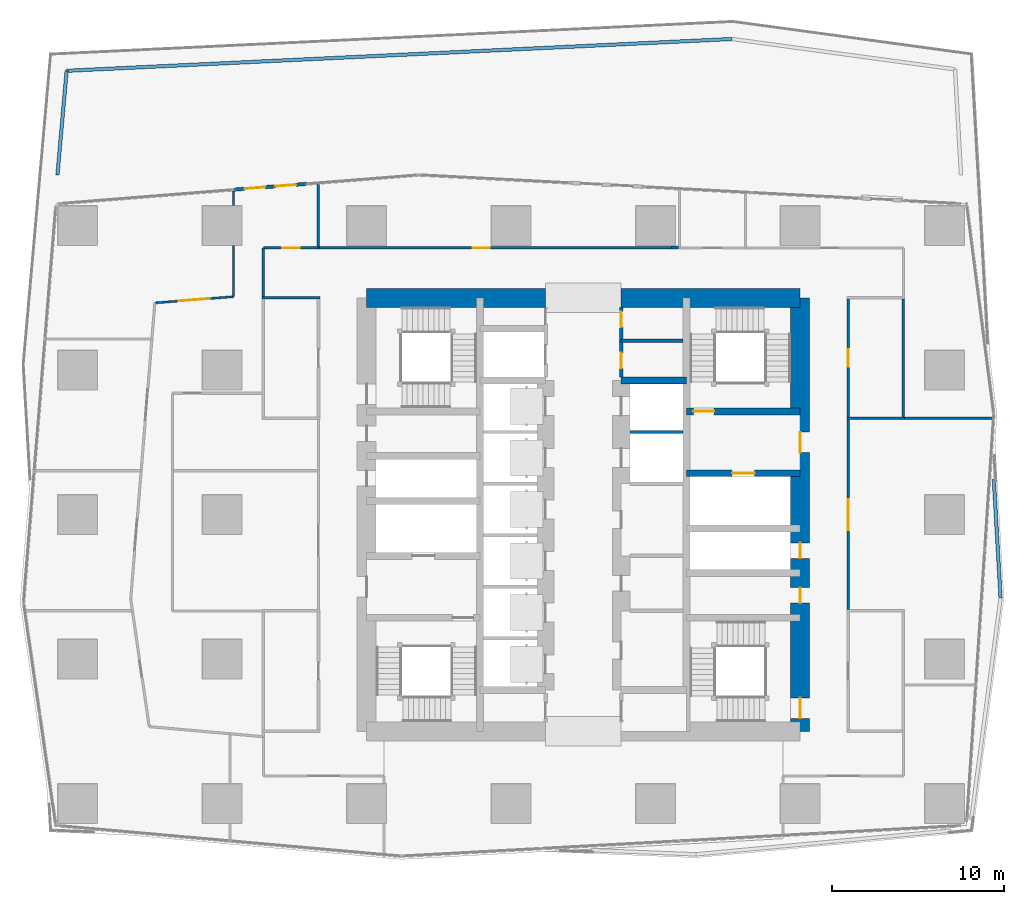
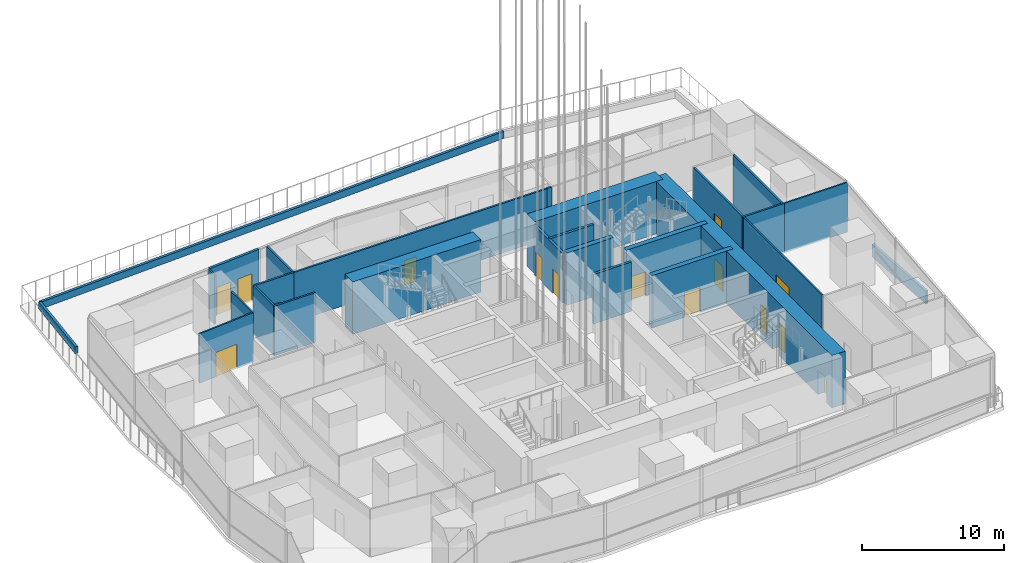
# One storey, part 17 of 39: 27 walls, 15 doors, 15 openings.
"""IFC4 building model written with IfcOpenShell, lengths in metres."""

from ifc_helpers import new_model, si_unit, direction, frame, frame_2d, origin, place, context, subcontext, project, spatial, rectangle, extrude, material, layer, layer_set, type_object, element, fill, save


model = new_model("IFC4")

# Units and contexts
model_context = context("Model", 3, precision=1e-05, world=origin(), true_north=direction((0.0, 1.0)))
body_context = subcontext(model_context, "Body", "Model", "MODEL_VIEW")
ifc_project = project(units=[si_unit("LENGTHUNIT", "METRE"), si_unit("AREAUNIT", "SQUARE_METRE"), si_unit("VOLUMEUNIT", "CUBIC_METRE"), si_unit("PLANEANGLEUNIT", "RADIAN"), si_unit("MASSUNIT", "GRAM", prefix="KILO")], contexts=[model_context])

# Site, building, storey
site_placement = place(None, origin())
site = spatial("IfcSite", under=ifc_project, at=site_placement, CompositionType="ELEMENT")
building_placement = place(site_placement, origin())
building = spatial("IfcBuilding", under=site, at=building_placement, Name="Rekha Terrace Tower", CompositionType="ELEMENT")
storey_placement = place(building_placement, frame((0.0, 0.0, 245.60009765625)))
storey = spatial("IfcBuildingStorey", under=building, at=storey_placement, Name="L62", CompositionType="ELEMENT", Elevation=245.60009765625)

# Wall
ifc_material_1 = material(Name="Concrete M60", Category="concrete")
ifc_layer_1 = layer(ifc_material_1, 0.39990234375)
ifc_layer_set_1 = layer_set([ifc_layer_1], Name="Concrete M60")
wall_type_1 = type_object("IfcWallType", Name="CI4 400 core internal shear wall", PredefinedType="SHEAR", material=ifc_layer_set_1)
wall_1_placement = place(storey_placement, frame((40.0, 41.39990234375, 0.0), z_axis=(0.0, 0.0, 1.0), x_axis=(1.0, 0.0, 0.0)))
element("IfcWall", 1, at=wall_1_placement, inside=storey, type_object=wall_type_1, Name="Core wall Y414E L62", PredefinedType="SHEAR", context=body_context, shape_type="SweptSolid", body=[
    extrude(rectangle(XDim=3.800048828125, YDim=0.39990234375, at=frame_2d((1.89990234375, 0.0))), origin(), (0.0, 0.0, 1.0), 4.5),
])

# Wall, opening, door
wall_2_placement = place(storey_placement, frame((43.800048828125, 36.0, 0.0), z_axis=(0.0, 0.0, 1.0), x_axis=(1.0, 0.0, 0.0)))
wall_2 = element("IfcWall", 2, at=wall_2_placement, inside=storey, type_object=wall_type_1, Name="Core wall Y360E L62", PredefinedType="SHEAR", context=body_context, shape_type="SweptSolid", body=[
    extrude(rectangle(XDim=6.599853515625, YDim=0.39990234375, at=frame_2d((3.2998046875, 0.0))), origin(), (0.0, 0.0, 1.0), 4.5),
])
opening_1_placement = place(wall_2_placement, frame((2.64990234375, 0.0, 0.0)))
opening_1 = element("IfcOpeningElement", 3, at=opening_1_placement, cuts=wall_2, Name="Opening LD2", PredefinedType="OPENING", context=body_context, shape_type="SweptSolid", body=[
    extrude(rectangle(XDim=1.300048828125, YDim=2.10009765625, at=frame_2d((0.64990234375, 1.050048828125))), frame((0.0, 0.2099609375, 0.0), z_axis=(0.0, -1.0, 0.0), x_axis=(1.0, 0.0, 0.0)), (0.0, 0.0, 1.0), 0.419921875),
])
ifc_material_2 = material(Name="Stainless steel sliding landing door", Category="steel")
door_type_1 = type_object("IfcDoorType", Name="LD2 1300x2100 fire lift landing door", OperationType="SLIDING_TO_LEFT", PredefinedType="USERDEFINED", material=ifc_material_2)
door_1_placement = place(opening_1_placement, origin())
door_1 = element("IfcDoor", 4, at=door_1_placement, inside=storey, type_object=door_type_1, Name="Lift FL2 landing door L62", ObjectType="LIFT LANDING DOOR", OperationType="SLIDING_TO_LEFT", OverallHeight=2.10009765625, OverallWidth=1.300048828125, PredefinedType="USERDEFINED", context=body_context, shape_type="SweptSolid", body=[
    extrude(rectangle(XDim=1.300048828125, YDim=2.10009765625, at=frame_2d((0.64990234375, 1.050048828125))), frame((0.0, 0.02490234375, 0.0), z_axis=(0.0, -1.0, 0.0), x_axis=(1.0, 0.0, 0.0)), (0.0, 0.0, 1.0), 0.050048828125),
])
fill(opening_1, door_1)

wall_3_placement = place(storey_placement, frame((43.800048828125, 39.60009765625, 0.0), z_axis=(0.0, 0.0, 1.0), x_axis=(1.0, 0.0, 0.0)))
wall_3 = element("IfcWall", 5, at=wall_3_placement, inside=storey, type_object=wall_type_1, Name="Core wall Y396E L62", PredefinedType="SHEAR", context=body_context, shape_type="SweptSolid", body=[
    extrude(rectangle(XDim=6.599853515625, YDim=0.39990234375, at=frame_2d((3.2998046875, 0.0))), origin(), (0.0, 0.0, 1.0), 4.5),
])
opening_2_placement = place(wall_3_placement, frame((0.39990234375, 0.0, 0.0)))
opening_2 = element("IfcOpeningElement", 6, at=opening_2_placement, cuts=wall_3, Name="Opening D1", PredefinedType="OPENING", context=body_context, shape_type="SweptSolid", body=[
    extrude(rectangle(XDim=1.199951171875, YDim=2.10009765625, at=frame_2d((0.60009765625, 1.050048828125))), frame((0.0, 0.2099609375, 0.0), z_axis=(0.0, -1.0, 0.0), x_axis=(1.0, 0.0, 0.0)), (0.0, 0.0, 1.0), 0.419921875),
])
ifc_material_3 = material(Name="Steel fire door", Category="steel")
door_type_2 = type_object("IfcDoorType", Name="D1 1200x2100 stair fire door", OperationType="SINGLE_SWING_RIGHT", PredefinedType="DOOR", material=ifc_material_3)
door_2_placement = place(opening_2_placement, origin())
door_2 = element("IfcDoor", 7, at=door_2_placement, inside=storey, type_object=door_type_2, Name="Stair ST2 door L62", OperationType="SINGLE_SWING_RIGHT", OverallHeight=2.10009765625, OverallWidth=1.199951171875, PredefinedType="DOOR", context=body_context, shape_type="SweptSolid", body=[
    extrude(rectangle(XDim=1.199951171875, YDim=2.10009765625, at=frame_2d((0.60009765625, 1.050048828125))), frame((0.0, 0.02490234375, 0.0), z_axis=(0.0, -1.0, 0.0), x_axis=(1.0, 0.0, 0.0)), (0.0, 0.0, 1.0), 0.050048828125),
])
fill(opening_2, door_2)

# Wall, openings, doors
ifc_material_4 = material(Name="Aluminium-faced insulated screen wall", Category="aluminium")
ifc_layer_2 = layer(ifc_material_4, 0.199951171875)
ifc_layer_set_2 = layer_set([ifc_layer_2], Name="Aluminium-faced insulated screen wall")
wall_type_2 = type_object("IfcWallType", Name="EW3 terrace door screen wall 200", PredefinedType="SOLIDWALL", material=ifc_layer_set_2)
wall_4_placement = place(storey_placement, frame((21.69140625, 52.82470703125, 0.0), z_axis=(0.0, 0.0, 1.0), x_axis=(-0.996837971736, -0.079461047721, 0.0)))
wall_4 = element("IfcWall", 8, at=wall_4_placement, inside=storey, type_object=wall_type_2, Name="Terrace door screen wall", PredefinedType="SOLIDWALL", context=body_context, shape_type="SweptSolid", body=[
    extrude(rectangle(XDim=4.199951171875, YDim=0.199951171875, at=frame_2d((2.10009765625, 0.0))), origin(), (0.0, 0.0, 1.0), 4.25),
])
opening_3_placement = place(wall_4_placement, frame((0.60009765625, 0.0, 0.0)))
opening_3 = element("IfcOpeningElement", 9, at=opening_3_placement, cuts=wall_4, Name="Opening ED4", PredefinedType="OPENING", context=body_context, shape_type="SweptSolid", body=[
    extrude(rectangle(XDim=1.199951171875, YDim=2.39990234375, at=frame_2d((0.60009765625, 1.199951171875))), frame((0.0, 0.10986328125, 0.0), z_axis=(0.0, -1.0, 0.0), x_axis=(1.0, 0.0, 0.0)), (0.0, 0.0, 1.0), 0.219970703125),
])
opening_4_placement = place(wall_4_placement, frame((2.39990234375, 0.0, 0.0)))
opening_4 = element("IfcOpeningElement", 10, at=opening_4_placement, cuts=wall_4, Name="Opening ED4", PredefinedType="OPENING", context=body_context, shape_type="SweptSolid", body=[
    extrude(rectangle(XDim=1.199951171875, YDim=2.39990234375, at=frame_2d((0.60009765625, 1.199951171875))), frame((0.0, 0.10986328125, 0.0), z_axis=(0.0, -1.0, 0.0), x_axis=(1.0, 0.0, 0.0)), (0.0, 0.0, 1.0), 0.219970703125),
])
ifc_material_5 = material(Name="Aluminium framed laminated glass door", Category="aluminium")
door_type_3 = type_object("IfcDoorType", Name="ED4 glazed terrace door 1200 x 2400", OperationType="SINGLE_SWING_LEFT", PredefinedType="DOOR", material=ifc_material_5)
door_3_placement = place(opening_3_placement, origin())
door_3 = element("IfcDoor", 11, at=door_3_placement, inside=storey, type_object=door_type_3, Name="Terrace door", OperationType="SINGLE_SWING_LEFT", OverallHeight=2.39990234375, OverallWidth=1.199951171875, PredefinedType="DOOR", context=body_context, shape_type="SweptSolid", body=[
    extrude(rectangle(XDim=1.199951171875, YDim=2.39990234375, at=frame_2d((0.60009765625, 1.199951171875))), frame((0.0, 0.02490234375, 0.0), z_axis=(0.0, -1.0, 0.0), x_axis=(1.0, 0.0, 0.0)), (0.0, 0.0, 1.0), 0.050048828125),
])
fill(opening_3, door_3)
door_4_placement = place(opening_4_placement, origin())
door_4 = element("IfcDoor", 12, at=door_4_placement, inside=storey, type_object=door_type_3, Name="Terrace door", OperationType="SINGLE_SWING_LEFT", OverallHeight=2.39990234375, OverallWidth=1.199951171875, PredefinedType="DOOR", context=body_context, shape_type="SweptSolid", body=[
    extrude(rectangle(XDim=1.199951171875, YDim=2.39990234375, at=frame_2d((0.60009765625, 1.199951171875))), frame((0.0, 0.02490234375, 0.0), z_axis=(0.0, -1.0, 0.0), x_axis=(1.0, 0.0, 0.0)), (0.0, 0.0, 1.0), 0.050048828125),
])
fill(opening_4, door_4)

# Walls
ifc_material_6 = material(Name="Concrete M40", Category="concrete")
ifc_layer_3 = layer(ifc_material_6, 0.199951171875)
ifc_layer_set_3 = layer_set([ifc_layer_3], Name="Concrete M40")
wall_type_3 = type_object("IfcWallType", Name="PL1 terrace planter wall 200", PredefinedType="USERDEFINED", material=ifc_layer_set_3)
wall_5_placement = place(storey_placement, frame((46.439697265625, 61.246337890625, 0.0), z_axis=(0.0, 0.0, 1.0), x_axis=(-0.998859176302, -0.047752967621, 0.0)))
element("IfcWall", 13, at=wall_5_placement, inside=storey, type_object=wall_type_3, Name="Terrace planter", ObjectType="PLANTER", PredefinedType="USERDEFINED", context=body_context, shape_type="SweptSolid", body=[
    extrude(rectangle(XDim=38.72265625, YDim=0.199951171875, at=frame_2d((19.361328125, 0.0))), origin(), (0.0, 0.0, 1.0), 0.599853515625),
])
wall_6_placement = place(storey_placement, frame((7.76123046875, 59.397216796875, 0.0), z_axis=(0.0, 0.0, 1.0), x_axis=(-0.087959391808, -0.996124061246, 0.0)))
element("IfcWall", 14, at=wall_6_placement, inside=storey, type_object=wall_type_3, Name="Terrace planter", ObjectType="PLANTER", PredefinedType="USERDEFINED", context=body_context, shape_type="SweptSolid", body=[
    extrude(rectangle(XDim=6.084228515625, YDim=0.199951171875, at=frame_2d((3.0419921875, 0.0))), origin(), (0.0, 0.0, 1.0), 0.599853515625),
])
ifc_layer_4 = layer(ifc_material_6, 0.199951171875)
ifc_layer_set_4 = layer_set([ifc_layer_4], Name="Concrete M40")
wall_type_4 = type_object("IfcWallType", Name="PP1 parapet wall 200", PredefinedType="PARAPET", material=ifc_layer_set_4)
wall_7_placement = place(storey_placement, frame((62.04931640625, 28.74755859375, 0.0), z_axis=(0.0, 0.0, 1.0), x_axis=(-0.05667222801, 0.998392837801, 0.0)))
element("IfcWall", 15, at=wall_7_placement, inside=storey, type_object=wall_type_4, Name="Ledge parapet", PredefinedType="PARAPET", context=body_context, shape_type="SweptSolid", body=[
    extrude(rectangle(XDim=6.905517578125, YDim=0.199951171875, at=frame_2d((3.45263671875, 0.0))), origin(), (0.0, 0.0, 1.0), 1.099853515625),
])
ifc_layer_5 = layer(ifc_material_1, 1.10009765625)
ifc_layer_set_5 = layer_set([ifc_layer_5], Name="Concrete M60")
wall_type_5 = type_object("IfcWallType", Name="SW4 1100 core outer shear wall", PredefinedType="SHEAR", material=ifc_layer_set_5)
wall_8_placement = place(storey_placement, frame((25.199951171875, 46.199951171875, 0.0), z_axis=(0.0, 0.0, 1.0), x_axis=(1.0, 0.0, 0.0)))
element("IfcWall", 16, at=wall_8_placement, inside=storey, type_object=wall_type_5, Name="Core wall N1 L62", PredefinedType="SHEAR", context=body_context, shape_type="SweptSolid", body=[
    extrude(rectangle(XDim=10.400146484375, YDim=1.10009765625, at=frame_2d((5.2001953125, 0.0))), origin(), (0.0, 0.0, 1.0), 4.5),
])
wall_9_placement = place(storey_placement, frame((40.0, 46.199951171875, 0.0), z_axis=(0.0, 0.0, 1.0), x_axis=(1.0, 0.0, 0.0)))
element("IfcWall", 17, at=wall_9_placement, inside=storey, type_object=wall_type_5, Name="Core wall N2 L62", PredefinedType="SHEAR", context=body_context, shape_type="SweptSolid", body=[
    extrude(rectangle(XDim=10.39990234375, YDim=1.10009765625, at=frame_2d((5.199951171875, 0.0))), origin(), (0.0, 0.0, 1.0), 4.5),
])

# Wall, openings, doors
wall_10_placement = place(storey_placement, frame((50.39990234375, 21.0, 0.0), z_axis=(0.0, 0.0, 1.0), x_axis=(0.0, 1.0, 0.0)))
wall_10 = element("IfcWall", 18, at=wall_10_placement, inside=storey, type_object=wall_type_5, Name="Core wall E L62", PredefinedType="SHEAR", context=body_context, shape_type="SweptSolid", body=[
    extrude(rectangle(XDim=25.199951171875, YDim=1.10009765625, at=frame_2d((12.60009765625, 0.0))), origin(), (0.0, 0.0, 1.0), 4.5),
])
opening_5_placement = place(wall_10_placement, frame((16.199951171875, 0.0, 0.0)))
opening_5 = element("IfcOpeningElement", 19, at=opening_5_placement, cuts=wall_10, Name="Opening D2", PredefinedType="OPENING", context=body_context, shape_type="SweptSolid", body=[
    extrude(rectangle(XDim=1.199951171875, YDim=2.10009765625, at=frame_2d((0.60009765625, 1.050048828125))), frame((0.0, 0.56005859375, 0.0), z_axis=(0.0, -1.0, 0.0), x_axis=(1.0, 0.0, 0.0)), (0.0, 0.0, 1.0), 1.1201171875),
])
opening_6_placement = place(wall_10_placement, frame((10.050048828125, 0.0, 0.0)))
opening_6 = element("IfcOpeningElement", 20, at=opening_6_placement, cuts=wall_10, Name="Opening D5", PredefinedType="OPENING", context=body_context, shape_type="SweptSolid", body=[
    extrude(rectangle(XDim=0.89990234375, YDim=2.10009765625, at=frame_2d((0.449951171875, 1.050048828125))), frame((0.0, 0.56005859375, 0.0), z_axis=(0.0, -1.0, 0.0), x_axis=(1.0, 0.0, 0.0)), (0.0, 0.0, 1.0), 1.1201171875),
])
opening_7_placement = place(wall_10_placement, frame((7.449951171875, 0.0, 0.0)))
opening_7 = element("IfcOpeningElement", 21, at=opening_7_placement, cuts=wall_10, Name="Opening D5", PredefinedType="OPENING", context=body_context, shape_type="SweptSolid", body=[
    extrude(rectangle(XDim=0.89990234375, YDim=2.10009765625, at=frame_2d((0.449951171875, 1.050048828125))), frame((0.0, 0.56005859375, 0.0), z_axis=(0.0, -1.0, 0.0), x_axis=(1.0, 0.0, 0.0)), (0.0, 0.0, 1.0), 1.1201171875),
])
opening_8_placement = place(wall_10_placement, frame((0.75, 0.0, 0.0)))
opening_8 = element("IfcOpeningElement", 22, at=opening_8_placement, cuts=wall_10, Name="Opening D1", PredefinedType="OPENING", context=body_context, shape_type="SweptSolid", body=[
    extrude(rectangle(XDim=1.199951171875, YDim=2.10009765625, at=frame_2d((0.60009765625, 1.050048828125))), frame((0.0, 0.56005859375, 0.0), z_axis=(0.0, -1.0, 0.0), x_axis=(1.0, 0.0, 0.0)), (0.0, 0.0, 1.0), 1.1201171875),
])
door_5_placement = place(opening_8_placement, origin())
door_5 = element("IfcDoor", 23, at=door_5_placement, inside=storey, type_object=door_type_2, Name="Stair ST3 door L62", OperationType="SINGLE_SWING_RIGHT", OverallHeight=2.10009765625, OverallWidth=1.199951171875, PredefinedType="DOOR", context=body_context, shape_type="SweptSolid", body=[
    extrude(rectangle(XDim=1.199951171875, YDim=2.10009765625, at=frame_2d((0.60009765625, 1.050048828125))), frame((0.0, 0.02490234375, 0.0), z_axis=(0.0, -1.0, 0.0), x_axis=(1.0, 0.0, 0.0)), (0.0, 0.0, 1.0), 0.050048828125),
])
fill(opening_8, door_5)
door_type_4 = type_object("IfcDoorType", Name="D2 1200x2100 firefighting lobby door", OperationType="SINGLE_SWING_LEFT", PredefinedType="DOOR", material=ifc_material_3)
door_6_placement = place(opening_5_placement, origin())
door_6 = element("IfcDoor", 24, at=door_6_placement, inside=storey, type_object=door_type_4, Name="Door flb2 L62", OperationType="SINGLE_SWING_LEFT", OverallHeight=2.10009765625, OverallWidth=1.199951171875, PredefinedType="DOOR", context=body_context, shape_type="SweptSolid", body=[
    extrude(rectangle(XDim=1.199951171875, YDim=2.10009765625, at=frame_2d((0.60009765625, 1.050048828125))), frame((0.0, 0.02490234375, 0.0), z_axis=(0.0, -1.0, 0.0), x_axis=(1.0, 0.0, 0.0)), (0.0, 0.0, 1.0), 0.050048828125),
])
fill(opening_5, door_6)
door_type_5 = type_object("IfcDoorType", Name="D5 900x2100 riser access door", OperationType="SINGLE_SWING_LEFT", PredefinedType="DOOR", material=ifc_material_3)
door_7_placement = place(opening_6_placement, origin())
door_7 = element("IfcDoor", 25, at=door_7_placement, inside=storey, type_object=door_type_5, Name="Door rs2 L62", OperationType="SINGLE_SWING_LEFT", OverallHeight=2.10009765625, OverallWidth=0.89990234375, PredefinedType="DOOR", context=body_context, shape_type="SweptSolid", body=[
    extrude(rectangle(XDim=0.89990234375, YDim=2.10009765625, at=frame_2d((0.449951171875, 1.050048828125))), frame((0.0, 0.02490234375, 0.0), z_axis=(0.0, -1.0, 0.0), x_axis=(1.0, 0.0, 0.0)), (0.0, 0.0, 1.0), 0.050048828125),
])
fill(opening_6, door_7)
door_8_placement = place(opening_7_placement, origin())
door_8 = element("IfcDoor", 26, at=door_8_placement, inside=storey, type_object=door_type_5, Name="Door ele L62", OperationType="SINGLE_SWING_LEFT", OverallHeight=2.10009765625, OverallWidth=0.89990234375, PredefinedType="DOOR", context=body_context, shape_type="SweptSolid", body=[
    extrude(rectangle(XDim=0.89990234375, YDim=2.10009765625, at=frame_2d((0.449951171875, 1.050048828125))), frame((0.0, 0.02490234375, 0.0), z_axis=(0.0, -1.0, 0.0), x_axis=(1.0, 0.0, 0.0)), (0.0, 0.0, 1.0), 0.050048828125),
])
fill(opening_7, door_8)

# Wall
ifc_material_7 = material(Name="Concrete block masonry, 1 hour", Category="masonry")
ifc_layer_6 = layer(ifc_material_7, 0.14990234375)
ifc_layer_set_6 = layer_set([ifc_layer_6], Name="Concrete block masonry, 1 hour")
wall_type_6 = type_object("IfcWallType", Name="WP2 150 tenancy partition", PredefinedType="PARTITIONING", material=ifc_layer_set_6)
wall_11_placement = place(storey_placement, frame((53.125, 39.199951171875, 0.0), z_axis=(0.0, 0.0, 1.0), x_axis=(1.0, 0.0, 0.0)))
element("IfcWall", 27, at=wall_11_placement, inside=storey, type_object=wall_type_6, Name="Women's WC wall L62", PredefinedType="PARTITIONING", context=body_context, shape_type="SweptSolid", body=[
    extrude(rectangle(XDim=3.35009765625, YDim=0.14990234375, at=frame_2d((1.675048828125, 0.0))), origin(), (0.0, 0.0, 1.0), 4.25),
])

# Wall, opening, door
wall_12_placement = place(storey_placement, frame((53.199951171875, 39.27490234375, 0.0), z_axis=(0.0, 0.0, 1.0), x_axis=(0.0, 1.0, 0.0)))
wall_12 = element("IfcWall", 28, at=wall_12_placement, inside=storey, type_object=wall_type_6, Name="Women's WC wall L62", PredefinedType="PARTITIONING", context=body_context, shape_type="SweptSolid", body=[
    extrude(rectangle(XDim=6.85009765625, YDim=0.14990234375, at=frame_2d((3.425048828125, 0.0))), origin(), (0.0, 0.0, 1.0), 4.25),
])
opening_9_placement = place(wall_12_placement, frame((2.925048828125, 0.0, 0.0)))
opening_9 = element("IfcOpeningElement", 29, at=opening_9_placement, cuts=wall_12, Name="Opening D3", PredefinedType="OPENING", context=body_context, shape_type="SweptSolid", body=[
    extrude(rectangle(XDim=1.0, YDim=2.10009765625, at=frame_2d((0.5, 1.050048828125))), frame((0.0, 0.0849609375, 0.0), z_axis=(0.0, -1.0, 0.0), x_axis=(1.0, 0.0, 0.0)), (0.0, 0.0, 1.0), 0.169921875),
])
ifc_material_8 = material(Name="Laminated timber fire door", Category="wood")
door_type_6 = type_object("IfcDoorType", Name="D3 1000x2100 WC door", OperationType="SINGLE_SWING_LEFT", PredefinedType="DOOR", material=ifc_material_8)
door_9_placement = place(opening_9_placement, origin())
door_9 = element("IfcDoor", 30, at=door_9_placement, inside=storey, type_object=door_type_6, Name="Door women's wc L62", OperationType="SINGLE_SWING_LEFT", OverallHeight=2.10009765625, OverallWidth=1.0, PredefinedType="DOOR", context=body_context, shape_type="SweptSolid", body=[
    extrude(rectangle(XDim=1.0, YDim=2.10009765625, at=frame_2d((0.5, 1.050048828125))), frame((0.0, 0.02490234375, 0.0), z_axis=(0.0, -1.0, 0.0), x_axis=(1.0, 0.0, 0.0)), (0.0, 0.0, 1.0), 0.050048828125),
])
fill(opening_9, door_9)

# Walls
wall_13_placement = place(storey_placement, frame((56.39990234375, 39.27490234375, 0.0), z_axis=(0.0, 0.0, 1.0), x_axis=(0.0, 1.0, 0.0)))
element("IfcWall", 31, at=wall_13_placement, inside=storey, type_object=wall_type_6, Name="Women's WC wall L62", PredefinedType="PARTITIONING", context=body_context, shape_type="SweptSolid", body=[
    extrude(rectangle(XDim=6.85009765625, YDim=0.14990234375, at=frame_2d((3.425048828125, 0.0))), origin(), (0.0, 0.0, 1.0), 4.25),
])
wall_14_placement = place(storey_placement, frame((19.125, 46.199951171875, 0.0), z_axis=(0.0, 0.0, 1.0), x_axis=(1.0, 0.0, 0.0)))
element("IfcWall", 32, at=wall_14_placement, inside=storey, type_object=wall_type_6, Name="Women's WC wall L62", PredefinedType="PARTITIONING", context=body_context, shape_type="SweptSolid", body=[
    extrude(rectangle(XDim=3.35009765625, YDim=0.14990234375, at=frame_2d((1.675048828125, 0.0))), origin(), (0.0, 0.0, 1.0), 4.25),
])
wall_15_placement = place(storey_placement, frame((43.326904296875, 49.125, 0.0), z_axis=(0.0, 0.0, 1.0), x_axis=(-1.0, 0.0, 0.0)))
element("IfcWall", 33, at=wall_15_placement, inside=storey, type_object=wall_type_6, Name="Partition L62-O2", PredefinedType="PARTITIONING", context=body_context, shape_type="SweptSolid", body=[
    extrude(rectangle(XDim=0.39697265625, YDim=0.14990234375, at=frame_2d((0.198486328125, 0.0))), origin(), (0.0, 0.0, 1.0), 4.25),
])

# Wall, opening, door
wall_16_placement = place(storey_placement, frame((42.929931640625, 49.10009765625, 0.0), z_axis=(0.0, 0.0, 1.0), x_axis=(-1.0, 0.0, 0.0)))
wall_16 = element("IfcWall", 34, at=wall_16_placement, inside=storey, type_object=wall_type_6, Name="Partition L62-O2", PredefinedType="PARTITIONING", context=body_context, shape_type="SweptSolid", body=[
    extrude(rectangle(XDim=20.533935546875, YDim=0.14990234375, at=frame_2d((10.26708984375, 0.0))), origin(), (0.0, 0.0, 1.0), 4.25),
])
opening_10_placement = place(wall_16_placement, frame((10.56689453125, 0.0, 0.0)))
opening_10 = element("IfcOpeningElement", 35, at=opening_10_placement, cuts=wall_16, Name="Opening D9", PredefinedType="OPENING", context=body_context, shape_type="SweptSolid", body=[
    extrude(rectangle(XDim=1.0, YDim=2.10009765625, at=frame_2d((0.5, 1.050048828125))), frame((0.0, 0.0849609375, 0.0), z_axis=(0.0, -1.0, 0.0), x_axis=(1.0, 0.0, 0.0)), (0.0, 0.0, 1.0), 0.169921875),
])
ifc_material_9 = material(Name="Timber fire door", Category="wood")
door_type_7 = type_object("IfcDoorType", Name="D9 1000x2100 office door", OperationType="SINGLE_SWING_LEFT", PredefinedType="DOOR", material=ifc_material_9)
door_10_placement = place(opening_10_placement, origin())
door_10 = element("IfcDoor", 36, at=door_10_placement, inside=storey, type_object=door_type_7, Name="Door open-plan office L62", OperationType="SINGLE_SWING_LEFT", OverallHeight=2.10009765625, OverallWidth=1.0, PredefinedType="DOOR", context=body_context, shape_type="SweptSolid", body=[
    extrude(rectangle(XDim=1.0, YDim=2.10009765625, at=frame_2d((0.5, 1.050048828125))), frame((0.0, 0.02490234375, 0.0), z_axis=(0.0, -1.0, 0.0), x_axis=(1.0, 0.0, 0.0)), (0.0, 0.0, 1.0), 0.050048828125),
])
fill(opening_10, door_10)

# Wall
wall_17_placement = place(storey_placement, frame((22.39599609375, 49.10009765625, 0.0), z_axis=(0.0, 0.0, 1.0), x_axis=(0.0, 1.0, 0.0)))
element("IfcWall", 37, at=wall_17_placement, inside=storey, type_object=wall_type_6, Name="Partition L62-O2", PredefinedType="PARTITIONING", context=body_context, shape_type="SweptSolid", body=[
    extrude(rectangle(XDim=3.700927734375, YDim=0.14990234375, at=frame_2d((1.8505859375, 0.0))), origin(), (0.0, 0.0, 1.0), 4.25),
])

# Wall, opening, door
wall_18_placement = place(storey_placement, frame((22.39599609375, 49.10009765625, 0.0), z_axis=(0.0, 0.0, 1.0), x_axis=(-1.0, 0.0, 0.0)))
wall_18 = element("IfcWall", 38, at=wall_18_placement, inside=storey, type_object=wall_type_6, Name="Partition L62-O2b", PredefinedType="PARTITIONING", context=body_context, shape_type="SweptSolid", body=[
    extrude(rectangle(XDim=3.196044921875, YDim=0.14990234375, at=frame_2d((1.59814453125, 0.0))), origin(), (0.0, 0.0, 1.0), 4.25),
])
opening_11_placement = place(wall_18_placement, frame((1.097900390625, 0.0, 0.0)))
opening_11 = element("IfcOpeningElement", 39, at=opening_11_placement, cuts=wall_18, Name="Opening D9", PredefinedType="OPENING", context=body_context, shape_type="SweptSolid", body=[
    extrude(rectangle(XDim=1.0, YDim=2.10009765625, at=frame_2d((0.5, 1.050048828125))), frame((0.0, 0.0849609375, 0.0), z_axis=(0.0, -1.0, 0.0), x_axis=(1.0, 0.0, 0.0)), (0.0, 0.0, 1.0), 0.169921875),
])
door_11_placement = place(opening_11_placement, origin())
door_11 = element("IfcDoor", 40, at=door_11_placement, inside=storey, type_object=door_type_7, Name="Door open-plan office L62", OperationType="SINGLE_SWING_LEFT", OverallHeight=2.10009765625, OverallWidth=1.0, PredefinedType="DOOR", context=body_context, shape_type="SweptSolid", body=[
    extrude(rectangle(XDim=1.0, YDim=2.10009765625, at=frame_2d((0.5, 1.050048828125))), frame((0.0, 0.02490234375, 0.0), z_axis=(0.0, -1.0, 0.0), x_axis=(1.0, 0.0, 0.0)), (0.0, 0.0, 1.0), 0.050048828125),
])
fill(opening_11, door_11)

# Walls
wall_19_placement = place(storey_placement, frame((19.199951171875, 49.10009765625, 0.0), z_axis=(0.0, 0.0, 1.0), x_axis=(0.0, -1.0, 0.0)))
element("IfcWall", 41, at=wall_19_placement, inside=storey, type_object=wall_type_6, Name="Partition L62-O2b", PredefinedType="PARTITIONING", context=body_context, shape_type="SweptSolid", body=[
    extrude(rectangle(XDim=2.8251953125, YDim=0.14990234375, at=frame_2d((1.41259765625, 0.0))), origin(), (0.0, 0.0, 1.0), 4.25),
])
ifc_material_10 = material(Name="Two layers of fire-rated gypsum board each side on steel studs, acoustic quilt, 1 hour", Category="steel")
ifc_layer_7 = layer(ifc_material_10, 0.125)
ifc_layer_set_7 = layer_set([ifc_layer_7], Name="Two layers of fire-rated gypsum board each side on steel studs, acoustic quilt, 1 hour")
wall_type_7 = type_object("IfcWallType", Name="WP3 125 office partition", PredefinedType="PARTITIONING", material=ifc_layer_set_7)
wall_20_placement = place(storey_placement, frame((61.583984375, 39.200927734375, 0.0), z_axis=(0.0, 0.0, 1.0), x_axis=(-1.0, 0.0, 0.0)))
element("IfcWall", 42, at=wall_20_placement, inside=storey, type_object=wall_type_7, Name="Partition L62-07", PredefinedType="PARTITIONING", context=body_context, shape_type="SweptSolid", body=[
    extrude(rectangle(XDim=5.10791015625, YDim=0.125, at=frame_2d((2.553955078125, 0.0))), origin(), (0.0, 0.0, 1.0), 4.25),
])

# Wall, opening, door
wall_21_placement = place(storey_placement, frame((53.199951171875, 28.074951171875, 0.0), z_axis=(0.0, 0.0, 1.0), x_axis=(0.0, 1.0, 0.0)))
wall_21 = element("IfcWall", 43, at=wall_21_placement, inside=storey, type_object=wall_type_7, Name="Partition L62-09", PredefinedType="PARTITIONING", context=body_context, shape_type="SweptSolid", body=[
    extrude(rectangle(XDim=11.050048828125, YDim=0.125, at=frame_2d((5.52490234375, 0.0))), origin(), (0.0, 0.0, 1.0), 4.25),
])
opening_12_placement = place(wall_21_placement, frame((4.625, 0.0, 0.0)))
opening_12 = element("IfcOpeningElement", 44, at=opening_12_placement, cuts=wall_21, Name="Opening D8", PredefinedType="OPENING", context=body_context, shape_type="SweptSolid", body=[
    extrude(rectangle(XDim=1.800048828125, YDim=2.10009765625, at=frame_2d((0.89990234375, 1.050048828125))), frame((0.0, 0.072509765625, 0.0), z_axis=(0.0, -1.0, 0.0), x_axis=(1.0, 0.0, 0.0)), (0.0, 0.0, 1.0), 0.14501953125),
])
door_type_8 = type_object("IfcDoorType", Name="D8 1800x2100 double leaf door", OperationType="DOUBLE_DOOR_SINGLE_SWING", PredefinedType="DOOR", material=ifc_material_9)
door_12_placement = place(opening_12_placement, origin())
door_12 = element("IfcDoor", 45, at=door_12_placement, inside=storey, type_object=door_type_8, Name="Door quiet room L62", OperationType="DOUBLE_DOOR_SINGLE_SWING", OverallHeight=2.10009765625, OverallWidth=1.800048828125, PredefinedType="DOOR", context=body_context, shape_type="SweptSolid", body=[
    extrude(rectangle(XDim=1.800048828125, YDim=2.10009765625, at=frame_2d((0.89990234375, 1.050048828125))), frame((0.0, 0.02490234375, 0.0), z_axis=(0.0, -1.0, 0.0), x_axis=(1.0, 0.0, 0.0)), (0.0, 0.0, 1.0), 0.050048828125),
])
fill(opening_12, door_12)

# Walls
wall_22_placement = place(storey_placement, frame((17.458984375, 52.406982421875, 0.0), z_axis=(0.0, 0.0, 1.0), x_axis=(0.0, -1.0, 0.0)))
element("IfcWall", 46, at=wall_22_placement, inside=storey, type_object=wall_type_7, Name="Partition L62-10", PredefinedType="PARTITIONING", context=body_context, shape_type="SweptSolid", body=[
    extrude(rectangle(XDim=0.8369140625, YDim=0.125, at=frame_2d((0.41845703125, 0.0))), origin(), (0.0, 0.0, 1.0), 4.25),
])
wall_23_placement = place(storey_placement, frame((17.458984375, 49.22998046875, 0.0), z_axis=(0.0, 0.0, 1.0), x_axis=(0.0, -1.0, 0.0)))
element("IfcWall", 47, at=wall_23_placement, inside=storey, type_object=wall_type_7, Name="Partition L62-10", PredefinedType="PARTITIONING", context=body_context, shape_type="SweptSolid", body=[
    extrude(rectangle(XDim=2.9619140625, YDim=0.125, at=frame_2d((1.48095703125, 0.0))), origin(), (0.0, 0.0, 1.0), 4.25),
])

# Wall, opening, door
wall_24_placement = place(storey_placement, frame((17.458984375, 46.26806640625, 0.0), z_axis=(0.0, 0.0, 1.0), x_axis=(-0.996827286597, -0.079594979088, 0.0)))
wall_24 = element("IfcWall", 48, at=wall_24_placement, inside=storey, type_object=wall_type_7, Name="Partition L62-10", PredefinedType="PARTITIONING", context=body_context, shape_type="SweptSolid", body=[
    extrude(rectangle(XDim=4.585693359375, YDim=0.125, at=frame_2d((2.29296875, 0.0))), origin(), (0.0, 0.0, 1.0), 4.25),
])
opening_13_placement = place(wall_24_placement, frame((1.39306640625, 0.0, 0.0)))
opening_13 = element("IfcOpeningElement", 49, at=opening_13_placement, cuts=wall_24, Name="Opening D8", PredefinedType="OPENING", context=body_context, shape_type="SweptSolid", body=[
    extrude(rectangle(XDim=1.800048828125, YDim=2.10009765625, at=frame_2d((0.89990234375, 1.050048828125))), frame((0.0, 0.072509765625, 0.0), z_axis=(0.0, -1.0, 0.0), x_axis=(1.0, 0.0, 0.0)), (0.0, 0.0, 1.0), 0.14501953125),
])
door_13_placement = place(opening_13_placement, origin())
door_13 = element("IfcDoor", 50, at=door_13_placement, inside=storey, type_object=door_type_8, Name="Door business lounge L62", OperationType="DOUBLE_DOOR_SINGLE_SWING", OverallHeight=2.10009765625, OverallWidth=1.800048828125, PredefinedType="DOOR", context=body_context, shape_type="SweptSolid", body=[
    extrude(rectangle(XDim=1.800048828125, YDim=2.10009765625, at=frame_2d((0.89990234375, 1.050048828125))), frame((0.0, 0.02490234375, 0.0), z_axis=(0.0, -1.0, 0.0), x_axis=(1.0, 0.0, 0.0)), (0.0, 0.0, 1.0), 0.050048828125),
])
fill(opening_13, door_13)

# Wall
ifc_material_11 = material(Name="Solid concrete block masonry, 2 hour", Category="masonry")
ifc_layer_8 = layer(ifc_material_11, 0.199951171875)
ifc_layer_set_8 = layer_set([ifc_layer_8], Name="Solid concrete block masonry, 2 hour")
wall_type_8 = type_object("IfcWallType", Name="WS1 200 stair and shaft enclosure", PredefinedType="PARTITIONING", material=ifc_layer_set_8)
wall_25_placement = place(storey_placement, frame((40.5, 38.39990234375, 0.0), z_axis=(0.0, 0.0, 1.0), x_axis=(1.0, 0.0, 0.0)))
element("IfcWall", 51, at=wall_25_placement, inside=storey, type_object=wall_type_8, Name="Lift shaft divider L62", PredefinedType="PARTITIONING", context=body_context, shape_type="SweptSolid", body=[
    extrude(rectangle(XDim=3.10009765625, YDim=0.199951171875, at=frame_2d((1.550048828125, 0.0))), origin(), (0.0, 0.0, 1.0), 4.25),
])

# Wall, openings, doors
wall_26_placement = place(storey_placement, frame((40.0, 41.60009765625, 0.0), z_axis=(0.0, 0.0, 1.0), x_axis=(0.0, 1.0, 0.0)))
wall_26 = element("IfcWall", 52, at=wall_26_placement, inside=storey, type_object=wall_type_8, Name="Core partition elec L62", PredefinedType="PARTITIONING", context=body_context, shape_type="SweptSolid", body=[
    extrude(rectangle(XDim=4.0498046875, YDim=0.199951171875, at=frame_2d((2.02490234375, 0.0))), origin(), (0.0, 0.0, 1.0), 4.25),
])
opening_14_placement = place(wall_26_placement, frame((2.89990234375, 0.0, 0.0)))
opening_14 = element("IfcOpeningElement", 53, at=opening_14_placement, cuts=wall_26, Name="Opening D5", PredefinedType="OPENING", context=body_context, shape_type="SweptSolid", body=[
    extrude(rectangle(XDim=0.89990234375, YDim=2.10009765625, at=frame_2d((0.449951171875, 1.050048828125))), frame((0.0, 0.10986328125, 0.0), z_axis=(0.0, -1.0, 0.0), x_axis=(1.0, 0.0, 0.0)), (0.0, 0.0, 1.0), 0.219970703125),
])
opening_15_placement = place(wall_26_placement, frame((0.5, 0.0, 0.0)))
opening_15 = element("IfcOpeningElement", 54, at=opening_15_placement, cuts=wall_26, Name="Opening D5", PredefinedType="OPENING", context=body_context, shape_type="SweptSolid", body=[
    extrude(rectangle(XDim=0.89990234375, YDim=2.10009765625, at=frame_2d((0.449951171875, 1.050048828125))), frame((0.0, 0.10986328125, 0.0), z_axis=(0.0, -1.0, 0.0), x_axis=(1.0, 0.0, 0.0)), (0.0, 0.0, 1.0), 0.219970703125),
])
door_14_placement = place(opening_14_placement, origin())
door_14 = element("IfcDoor", 55, at=door_14_placement, inside=storey, type_object=door_type_5, Name="Door electrical room L62", OperationType="SINGLE_SWING_LEFT", OverallHeight=2.10009765625, OverallWidth=0.89990234375, PredefinedType="DOOR", context=body_context, shape_type="SweptSolid", body=[
    extrude(rectangle(XDim=0.89990234375, YDim=2.10009765625, at=frame_2d((0.449951171875, 1.050048828125))), frame((0.0, 0.02490234375, 0.0), z_axis=(0.0, -1.0, 0.0), x_axis=(1.0, 0.0, 0.0)), (0.0, 0.0, 1.0), 0.050048828125),
])
fill(opening_14, door_14)
door_15_placement = place(opening_15_placement, origin())
door_15 = element("IfcDoor", 56, at=door_15_placement, inside=storey, type_object=door_type_5, Name="Door records store L62", OperationType="SINGLE_SWING_LEFT", OverallHeight=2.10009765625, OverallWidth=0.89990234375, PredefinedType="DOOR", context=body_context, shape_type="SweptSolid", body=[
    extrude(rectangle(XDim=0.89990234375, YDim=2.10009765625, at=frame_2d((0.449951171875, 1.050048828125))), frame((0.0, 0.02490234375, 0.0), z_axis=(0.0, -1.0, 0.0), x_axis=(1.0, 0.0, 0.0)), (0.0, 0.0, 1.0), 0.050048828125),
])
fill(opening_15, door_15)

# Wall
wall_27_placement = place(storey_placement, frame((40.0, 43.699951171875, 0.0), z_axis=(0.0, 0.0, 1.0), x_axis=(1.0, 0.0, 0.0)))
element("IfcWall", 57, at=wall_27_placement, inside=storey, type_object=wall_type_8, Name="Core partition elx L62", PredefinedType="PARTITIONING", context=body_context, shape_type="SweptSolid", body=[
    extrude(rectangle(XDim=3.60009765625, YDim=0.199951171875, at=frame_2d((1.800048828125, 0.0))), origin(), (0.0, 0.0, 1.0), 4.25),
])

save(model, "model.ifc")
